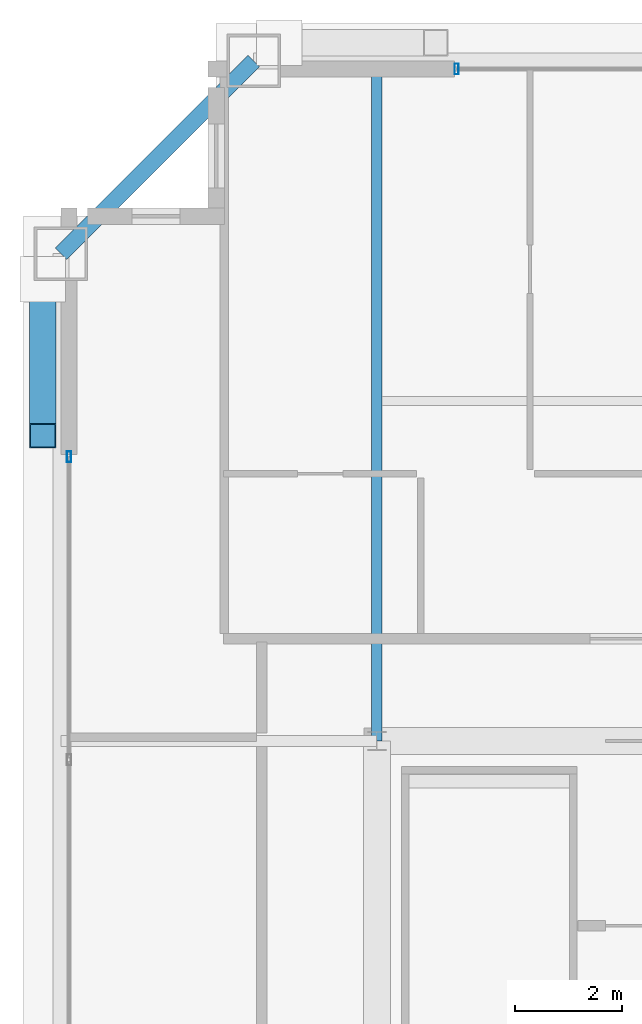
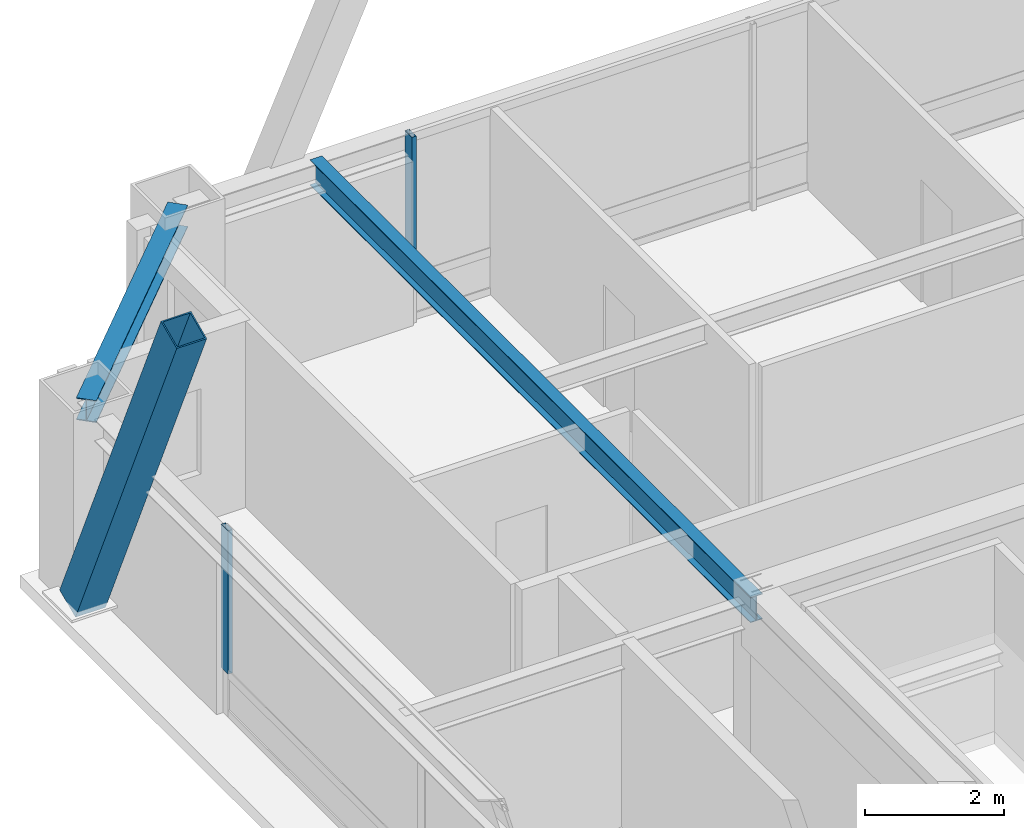
# One storey, part 15 of 35: 3 members, 2 beams, 2 elements without a shape of their own.
"""IFC4 building model written with IfcOpenShell, lengths in metres."""

from ifc_helpers import new_model, si_unit, direction, frame, origin, origin_2d, place, context, subcontext, project, spatial, hollow_rectangle, i_section, extrude, source, transform, mapped, material, layer, layer_set, material_profile, profile_set, type_object, element, aggregate, save


model = new_model("IFC4")

# Units and contexts
model_context = context("Model", 3, precision=1e-05, world=origin(), true_north=direction((0.0, 1.0)))
body_context = subcontext(model_context, "Body", "Model", "MODEL_VIEW")
ifc_project = project(units=[si_unit("LENGTHUNIT", "METRE"), si_unit("AREAUNIT", "SQUARE_METRE"), si_unit("VOLUMEUNIT", "CUBIC_METRE"), si_unit("PLANEANGLEUNIT", "RADIAN"), si_unit("MASSUNIT", "GRAM", prefix="KILO"), si_unit("THERMODYNAMICTEMPERATUREUNIT", "KELVIN"), si_unit("POWERUNIT", "WATT")], contexts=[model_context])

# Site, building, storey
site_placement = place(None, origin())
site = spatial("IfcSite", under=ifc_project, at=site_placement, CompositionType="ELEMENT")
building_placement = place(site_placement, origin())
building = spatial("IfcBuilding", under=site, at=building_placement, Name="Yuzanri Waterfront Tower", CompositionType="ELEMENT")
storey_placement = place(building_placement, frame((0.0, 0.0, 314.699951171875)))
storey = spatial("IfcBuildingStorey", under=building, at=storey_placement, Name="L84", CompositionType="ELEMENT", Elevation=314.699951171875)

# Beams
ifc_material_1 = material(Name="Steel Q355B", Category="steel")
ifc_material_profile_1 = material_profile(ifc_material_1, i_section(OverallWidth=0.300048828125, OverallDepth=0.389892578125, WebThickness=0.010009765625, FlangeThickness=0.01611328125, at=origin_2d()), Name="HM 390x300x10x16")
ifc_profile_set_1 = profile_set([ifc_material_profile_1], Name="Steel Q355B")
beam_type_1 = type_object("IfcBeamType", Name="Perimeter Spandrel Q355B HM 390x300", PredefinedType="SPANDREL", material=ifc_profile_set_1)
shared_shape_1 = source(origin(), body_context, "Body", "SweptSolid", [
    extrude(i_section(OverallWidth=0.300048828125, OverallDepth=0.389892578125, WebThickness=0.010009765625, FlangeThickness=0.01611328125, at=origin_2d()), origin(), (0.0, 0.0, 1.0), 5.091064453125),
])
beam_1_placement = place(storey_placement, frame((21.5, 44.89990234375, 3.0849609375), z_axis=(-0.707130757816, -0.707082803744, 0.0), x_axis=(0.707082803744, -0.707130757816, 0.0)))
element("IfcBeam", 1, at=beam_1_placement, inside=storey, type_object=beam_type_1, Name="L84 Perimeter Spandrel N1-W3", PredefinedType="SPANDREL", context=body_context, shape_type="MappedRepresentation", body=[
    mapped(shared_shape_1, transform((0.0, 0.0, 0.0), scale=1.0)),
])
ifc_material_2 = material(Name="Steel Q355B", Category="steel")
ifc_material_profile_2 = material_profile(ifc_material_2, i_section(OverallWidth=0.199951171875, OverallDepth=0.449951171875, WebThickness=0.009033203125, FlangeThickness=0.013916015625, at=origin_2d()), Name="HN 450x200x9x14")
ifc_profile_set_2 = profile_set([ifc_material_profile_2], Name="Steel Q355B")
beam_type_2 = type_object("IfcBeamType", Name="Secondary Floor Beam Q355B HN 450x200", PredefinedType="BEAM", material=ifc_profile_set_2)
shared_shape_2 = source(origin(), body_context, "Body", "SweptSolid", [
    extrude(i_section(OverallWidth=0.199951171875, OverallDepth=0.449951171875, WebThickness=0.009033203125, FlangeThickness=0.013916015625, at=origin_2d()), origin(), (0.0, 0.0, 1.0), 12.699951171875),
])
beam_2_placement = place(storey_placement, frame((23.800048828125, 32.199951171875, 3.054931640625), z_axis=(0.0, 1.0, 0.0), x_axis=(-1.0, 0.0, 0.0)))
element("IfcBeam", 2, at=beam_2_placement, inside=storey, type_object=beam_type_2, Name="L84 North-West Core Line Beam", PredefinedType="BEAM", context=body_context, shape_type="MappedRepresentation", body=[
    mapped(shared_shape_2, transform((0.0, 0.0, 0.0), scale=1.0)),
])

# Member
ifc_material_3 = material(Name="Steel Q390GJC", Category="steel")
ifc_material_profile_3 = material_profile(ifc_material_3, hollow_rectangle(XDim=0.5, YDim=0.5, WallThickness=0.02197265625, at=origin_2d()), Name="RHS 500x500x22")
ifc_profile_set_3 = profile_set([ifc_material_profile_3], Name="Steel Q390GJC")
member_type_1 = type_object("IfcMemberType", Name="Mega Brace Upper Q390GJC RHS 500x500x22", PredefinedType="BRACE", material=ifc_profile_set_3)
shared_shape_3 = source(origin(), body_context, "Body", "SweptSolid", [
    extrude(hollow_rectangle(XDim=0.5, YDim=0.5, WallThickness=0.02197265625, at=origin_2d()), origin(), (0.0, 0.0, 1.0), 7.125732421875),
])
member_1_placement = place(storey_placement, frame((17.56005859375, 40.820068359375, 0.179931640625), z_axis=(0.0, -0.409800461192, 0.912175192607), x_axis=(1.0, 0.0, 0.0)))
element("IfcMember", 3, at=member_1_placement, inside=storey, type_object=member_type_1, Name="L84-L85 Perimeter Mega-Brace W-R", PredefinedType="BRACE", context=body_context, shape_type="MappedRepresentation", body=[
    mapped(shared_shape_3, transform((0.0, 0.0, 0.0), scale=1.0)),
])

# Curtain wall, member
ifc_material_4 = material(Name="Anodized Architectural Bronze", Category="metal")
ifc_layer = layer(ifc_material_4, 0.159912109375)
ifc_layer_set = layer_set([ifc_layer], Name="Anodized Architectural Bronze")
curtain_wall_type = type_object("IfcCurtainWallType", Name="Anodized Bronze High-Rise Penthouse High-Wind Unitized Curtain Wall 6900", PredefinedType="NOTDEFINED", material=ifc_layer_set)
curtain_wall_1_placement = place(storey_placement, origin())
curtain_wall_1 = element("IfcCurtainWall", 4, at=curtain_wall_1_placement, inside=storey, type_object=curtain_wall_type, Name="L84 Curtain Wall CW-L84-NL", PredefinedType="NOTDEFINED")
ifc_material_5 = material(Name="Anodized Architectural Bronze", Category="metal")
ifc_material_profile_4 = material_profile(ifc_material_5, hollow_rectangle(XDim=0.074951171875, YDim=0.199951171875, WallThickness=0.00390625, at=origin_2d()), Name="CWM 75x200")
ifc_profile_set_4 = profile_set([ifc_material_profile_4], Name="Anodized Architectural Bronze")
member_type_2 = type_object("IfcMemberType", Name="Anodized Bronze Primary Curtain-Wall Mullion 75x200", PredefinedType="MULLION", material=ifc_profile_set_4)
shared_shape_4 = source(origin(), body_context, "Body", "SweptSolid", [
    extrude(hollow_rectangle(XDim=0.074951171875, YDim=0.199951171875, WallThickness=0.00390625, at=origin_2d()), origin(), (0.0, 0.0, 1.0), 2.52392578125),
])
member_2_placement = place(storey_placement, frame((25.2900390625, 44.75, 0.756103515625), z_axis=(0.0, 0.0, 1.0), x_axis=(1.0, 0.0, 0.0)))
member_2 = element("IfcMember", 5, at=member_2_placement, type_object=member_type_2, Name="CW-L84-NL Upper Mullion 00", PredefinedType="MULLION", context=body_context, shape_type="MappedRepresentation", body=[
    mapped(shared_shape_4, transform((0.0, 0.0, 0.0), scale=1.0)),
])
aggregate(curtain_wall_1, [member_2])

curtain_wall_2_placement = place(storey_placement, origin())
curtain_wall_2 = element("IfcCurtainWall", 6, at=curtain_wall_2_placement, inside=storey, type_object=curtain_wall_type, Name="L84 Curtain Wall CW-L84-WR", PredefinedType="NOTDEFINED")
member_3_placement = place(storey_placement, frame((18.050048828125, 37.510009765625, 0.756103515625), z_axis=(0.0, 0.0, 1.0), x_axis=(1.0, 0.0, 0.0)))
member_3 = element("IfcMember", 7, at=member_3_placement, type_object=member_type_2, Name="CW-L84-WR Upper Mullion 02", PredefinedType="MULLION", context=body_context, shape_type="MappedRepresentation", body=[
    mapped(shared_shape_4, transform((0.0, 0.0, 0.0), scale=1.0)),
])
aggregate(curtain_wall_2, [member_3])

save(model, "model.ifc")
